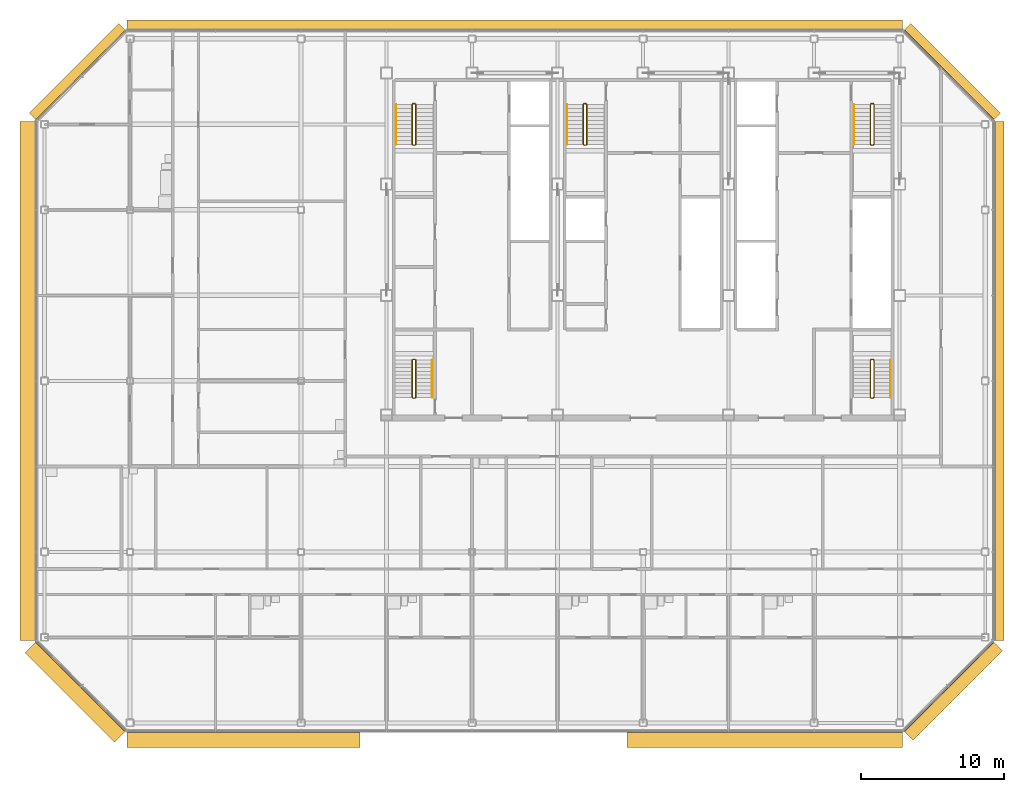
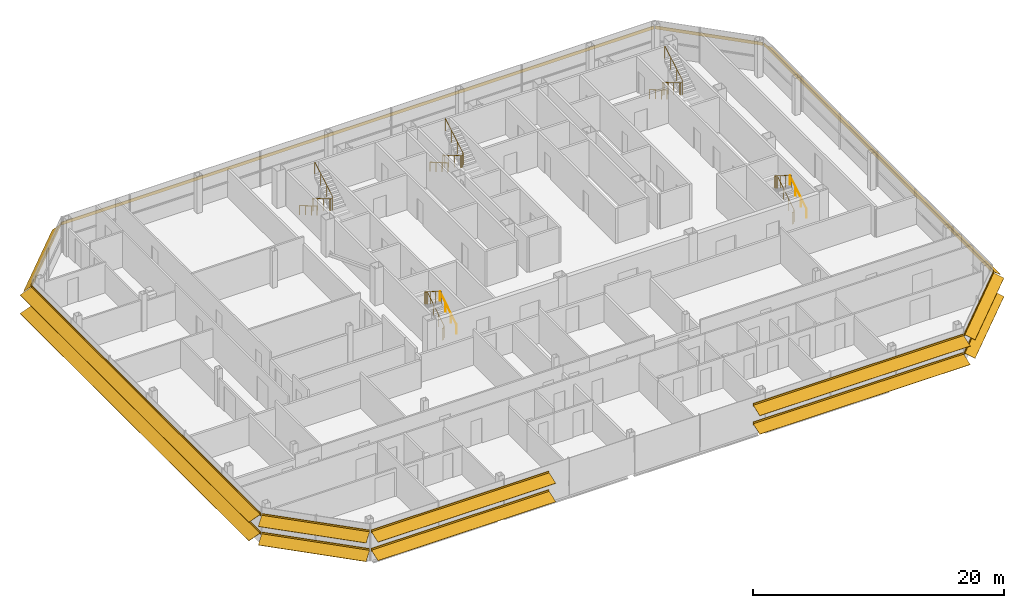
# One storey, part 27 of 28: 10 railings, 9 shading devices.
"""IFC4 building model written with IfcOpenShell, lengths in metres."""

from ifc_helpers import new_model, si_unit, direction, frame, origin, origin_2d, place, context, subcontext, project, spatial, polyline, circle, outline, composite_profile, extrude, material, type_object, element, save


model = new_model("IFC4")

# Units and contexts
model_context = context("Model", 3, precision=1e-05, world=origin(), true_north=direction((0.0, 1.0)))
body_context = subcontext(model_context, "Body", "Model", "MODEL_VIEW")
ifc_project = project(units=[si_unit("LENGTHUNIT", "METRE"), si_unit("AREAUNIT", "SQUARE_METRE"), si_unit("VOLUMEUNIT", "CUBIC_METRE"), si_unit("PLANEANGLEUNIT", "RADIAN"), si_unit("MASSUNIT", "GRAM", prefix="KILO")], contexts=[model_context])

# Site, building, storey
site_placement = place(None, origin())
site = spatial("IfcSite", under=ifc_project, at=site_placement, CompositionType="ELEMENT")
building_placement = place(site_placement, origin())
building = spatial("IfcBuilding", under=site, at=building_placement, Name="Sorahane Residences", CompositionType="ELEMENT")
storey_placement = place(building_placement, frame((0.0, 0.0, 301.60009765625)))
storey = spatial("IfcBuildingStorey", under=building, at=storey_placement, Name="L71", CompositionType="ELEMENT", Elevation=301.60009765625)

# Shading devices
ifc_material_1 = material(Name="Terracotta anodised aluminium", Category="masonry")
shading_device_type_1 = type_object("IfcShadingDeviceType", Name="Louvre sunshade blade E terracotta aluminium 700", PredefinedType="JALOUSIE", material=ifc_material_1)
shading_device_1_placement = place(storey_placement, frame((48.60009765625, 5.801513671875, 2.699951171875), z_axis=(0.0, 1.0, 0.0), x_axis=(-1.0, 0.0, 0.0)))
element("IfcShadingDevice", 1, at=shading_device_1_placement, inside=storey, type_object=shading_device_type_1, Name="Louvre sunshade blade bank E L71 E1", PredefinedType="JALOUSIE", context=body_context, shape_type="SweptSolid", body=[
    extrude(outline(polyline([(-0.719970703125, -0.49365234375), (-0.719970703125, -0.523681640625), (-0.080078125, -0.05859375), (-0.080078125, -0.14990234375), (-0.02001953125, -0.14990234375), (-0.02001953125, -0.014892578125), (-0.02001953125, 0.014892578125), (-0.02001953125, 0.14990234375), (-0.080078125, 0.14990234375), (-0.080078125, -0.028564453125), (-0.719970703125, -0.49365234375)])), origin(), (0.0, 0.0, 1.0), 36.39697265625),
])
ifc_material_2 = material(Name="Terracotta anodised aluminium", Category="masonry")
shading_device_type_2 = type_object("IfcShadingDeviceType", Name="Louvre sunshade blade N terracotta aluminium 700", PredefinedType="JALOUSIE", material=ifc_material_2)
shading_device_2_placement = place(storey_placement, frame((42.198486328125, 48.60009765625, 2.699951171875), z_axis=(-1.0, 0.0, 0.0), x_axis=(0.0, -1.0, 0.0)))
element("IfcShadingDevice", 2, at=shading_device_2_placement, inside=storey, type_object=shading_device_type_2, Name="Louvre sunshade blade bank N L71 N1", PredefinedType="JALOUSIE", context=body_context, shape_type="SweptSolid", body=[
    extrude(outline(polyline([(-0.719970703125, -0.660888671875), (-0.719970703125, -0.69091796875), (-0.080078125, -0.072998046875), (-0.080078125, -0.14990234375), (-0.02001953125, -0.14990234375), (-0.02001953125, -0.014892578125), (-0.02001953125, 0.014892578125), (-0.02001953125, 0.14990234375), (-0.080078125, 0.14990234375), (-0.080078125, -0.04296875), (-0.719970703125, -0.660888671875)])), origin(), (0.0, 0.0, 1.0), 54.39697265625),
])
ifc_material_3 = material(Name="Terracotta anodised aluminium", Category="masonry")
shading_device_type_3 = type_object("IfcShadingDeviceType", Name="Louvre sunshade blade NE terracotta aluminium 700", PredefinedType="JALOUSIE", material=ifc_material_3)
shading_device_3_placement = place(storey_placement, frame((48.564697265625, 42.283935546875, 2.699951171875), z_axis=(-0.707106781187, 0.707106781187, 0.0), x_axis=(-0.707106781187, -0.707106781187, 0.0)))
element("IfcShadingDevice", 3, at=shading_device_3_placement, inside=storey, type_object=shading_device_type_3, Name="Louvre sunshade blade bank NE L71 NE1", PredefinedType="JALOUSIE", context=body_context, shape_type="SweptSolid", body=[
    extrude(outline(polyline([(-0.719970703125, -0.572509765625), (-0.719970703125, -0.602294921875), (-0.080078125, -0.065185546875), (-0.080078125, -0.14990234375), (-0.02001953125, -0.14990234375), (-0.02001953125, -0.014892578125), (-0.02001953125, 0.014892578125), (-0.02001953125, 0.14990234375), (-0.080078125, 0.14990234375), (-0.080078125, -0.035400390625), (-0.719970703125, -0.572509765625)])), origin(), (0.0, 0.0, 1.0), 8.88232421875),
])
ifc_material_4 = material(Name="Terracotta anodised aluminium", Category="masonry")
shading_device_type_4 = type_object("IfcShadingDeviceType", Name="Louvre sunshade blade NW terracotta aluminium 700", PredefinedType="JALOUSIE", material=ifc_material_4)
shading_device_4_placement = place(storey_placement, frame((-12.283935546875, 48.564697265625, 2.699951171875), z_axis=(-0.707106781187, -0.707106781187, 0.0), x_axis=(0.707106781187, -0.707106781187, 0.0)))
element("IfcShadingDevice", 4, at=shading_device_4_placement, inside=storey, type_object=shading_device_type_4, Name="Louvre sunshade blade bank NW L71 NW1", PredefinedType="JALOUSIE", context=body_context, shape_type="SweptSolid", body=[
    extrude(outline(polyline([(-0.719970703125, -0.660888671875), (-0.719970703125, -0.69091796875), (-0.080078125, -0.072998046875), (-0.080078125, -0.14990234375), (-0.02001953125, -0.14990234375), (-0.02001953125, -0.014892578125), (-0.02001953125, 0.014892578125), (-0.02001953125, 0.14990234375), (-0.080078125, 0.14990234375), (-0.080078125, -0.04296875), (-0.719970703125, -0.660888671875)])), origin(), (0.0, 0.0, 1.0), 8.88232421875),
])
ifc_material_5 = material(Name="Terracotta anodised aluminium", Category="masonry")
shading_device_type_5 = type_object("IfcShadingDeviceType", Name="Louvre sunshade blade S terracotta aluminium 1100", PredefinedType="JALOUSIE", material=ifc_material_5)
shading_device_5_placement = place(storey_placement, frame((-12.198486328125, -0.60009765625, 0.89990234375), z_axis=(1.0, 0.0, 0.0), x_axis=(0.0, 1.0, 0.0)))
element("IfcShadingDevice", 5, at=shading_device_5_placement, inside=storey, type_object=shading_device_type_5, Name="Louvre sunshade blade bank S L71 S1", PredefinedType="JALOUSIE", context=body_context, shape_type="SweptSolid", body=[
    extrude(composite_profile([outline(polyline([(-1.1201171875, -0.385498046875), (-1.1201171875, -0.415283203125), (-0.080078125, -0.036865234375), (-0.080078125, -0.14990234375), (-0.02001953125, -0.14990234375), (-0.02001953125, -0.014892578125), (-0.02001953125, 0.014892578125), (-0.02001953125, 0.14990234375), (-0.080078125, 0.14990234375), (-0.080078125, -0.0068359375), (-1.1201171875, -0.385498046875)])), outline(polyline([(-1.1201171875, 1.41455078125), (-1.1201171875, 1.384521484375), (-0.080078125, 1.76318359375), (-0.080078125, 1.64990234375), (-0.02001953125, 1.64990234375), (-0.02001953125, 1.784912109375), (-0.02001953125, 1.81494140625), (-0.02001953125, 1.949951171875), (-0.080078125, 1.949951171875), (-0.080078125, 1.793212890625), (-1.1201171875, 1.41455078125)]))]), origin(), (0.0, 0.0, 1.0), 16.3291015625),
])
shading_device_6_placement = place(storey_placement, frame((22.869384765625, -0.60009765625, 0.89990234375), z_axis=(1.0, 0.0, 0.0), x_axis=(0.0, 1.0, 0.0)))
element("IfcShadingDevice", 6, at=shading_device_6_placement, inside=storey, type_object=shading_device_type_5, Name="Louvre sunshade blade bank S L71 S1 part 2", PredefinedType="JALOUSIE", context=body_context, shape_type="SweptSolid", body=[
    extrude(composite_profile([outline(polyline([(-1.1201171875, -0.385498046875), (-1.1201171875, -0.415283203125), (-0.080078125, -0.036865234375), (-0.080078125, -0.14990234375), (-0.02001953125, -0.14990234375), (-0.02001953125, -0.014892578125), (-0.02001953125, 0.014892578125), (-0.02001953125, 0.14990234375), (-0.080078125, 0.14990234375), (-0.080078125, -0.0068359375), (-1.1201171875, -0.385498046875)])), outline(polyline([(-1.1201171875, 1.41455078125), (-1.1201171875, 1.384521484375), (-0.080078125, 1.76318359375), (-0.080078125, 1.64990234375), (-0.02001953125, 1.64990234375), (-0.02001953125, 1.784912109375), (-0.02001953125, 1.81494140625), (-0.02001953125, 1.949951171875), (-0.080078125, 1.949951171875), (-0.080078125, 1.793212890625), (-1.1201171875, 1.41455078125)]))]), origin(), (0.0, 0.0, 1.0), 19.3291015625),
])
ifc_material_6 = material(Name="Terracotta anodised aluminium", Category="masonry")
shading_device_type_6 = type_object("IfcShadingDeviceType", Name="Louvre sunshade blade SE terracotta aluminium 900", PredefinedType="JALOUSIE", material=ifc_material_6)
shading_device_7_placement = place(storey_placement, frame((42.283935546875, -0.564697265625, 0.89990234375), z_axis=(0.707106781187, 0.707106781187, 0.0), x_axis=(-0.707106781187, 0.707106781187, 0.0)))
element("IfcShadingDevice", 7, at=shading_device_7_placement, inside=storey, type_object=shading_device_type_6, Name="Louvre sunshade blade bank SE L71 SE1", PredefinedType="JALOUSIE", context=body_context, shape_type="SweptSolid", body=[
    extrude(composite_profile([outline(polyline([(-0.919921875, -0.3486328125), (-0.919921875, -0.378662109375), (-0.080078125, -0.039306640625), (-0.080078125, -0.14990234375), (-0.02001953125, -0.14990234375), (-0.02001953125, -0.014892578125), (-0.02001953125, 0.014892578125), (-0.02001953125, 0.14990234375), (-0.080078125, 0.14990234375), (-0.080078125, -0.00927734375), (-0.919921875, -0.3486328125)])), outline(polyline([(-0.919921875, 1.451416015625), (-0.919921875, 1.42138671875), (-0.080078125, 1.7607421875), (-0.080078125, 1.64990234375), (-0.02001953125, 1.64990234375), (-0.02001953125, 1.784912109375), (-0.02001953125, 1.81494140625), (-0.02001953125, 1.949951171875), (-0.080078125, 1.949951171875), (-0.080078125, 1.790771484375), (-0.919921875, 1.451416015625)]))]), origin(), (0.0, 0.0, 1.0), 8.88232421875),
])
ifc_material_7 = material(Name="Terracotta anodised aluminium", Category="masonry")
shading_device_type_7 = type_object("IfcShadingDeviceType", Name="Louvre sunshade blade SW terracotta aluminium 1100", PredefinedType="JALOUSIE", material=ifc_material_7)
shading_device_8_placement = place(storey_placement, frame((-18.564697265625, 5.716064453125, 0.89990234375), z_axis=(0.707106781187, -0.707106781187, 0.0), x_axis=(0.707106781187, 0.707106781187, 0.0)))
element("IfcShadingDevice", 8, at=shading_device_8_placement, inside=storey, type_object=shading_device_type_7, Name="Louvre sunshade blade bank SW L71 SW1", PredefinedType="JALOUSIE", context=body_context, shape_type="SweptSolid", body=[
    extrude(composite_profile([outline(polyline([(-1.1201171875, -0.385498046875), (-1.1201171875, -0.415283203125), (-0.080078125, -0.036865234375), (-0.080078125, -0.14990234375), (-0.02001953125, -0.14990234375), (-0.02001953125, -0.014892578125), (-0.02001953125, 0.014892578125), (-0.02001953125, 0.14990234375), (-0.080078125, 0.14990234375), (-0.080078125, -0.0068359375), (-1.1201171875, -0.385498046875)])), outline(polyline([(-1.1201171875, 1.41455078125), (-1.1201171875, 1.384521484375), (-0.080078125, 1.76318359375), (-0.080078125, 1.64990234375), (-0.02001953125, 1.64990234375), (-0.02001953125, 1.784912109375), (-0.02001953125, 1.81494140625), (-0.02001953125, 1.949951171875), (-0.080078125, 1.949951171875), (-0.080078125, 1.793212890625), (-1.1201171875, 1.41455078125)]))]), origin(), (0.0, 0.0, 1.0), 8.88232421875),
])
ifc_material_8 = material(Name="Terracotta anodised aluminium", Category="masonry")
shading_device_type_8 = type_object("IfcShadingDeviceType", Name="Louvre sunshade blade W terracotta aluminium 1100", PredefinedType="JALOUSIE", material=ifc_material_8)
shading_device_9_placement = place(storey_placement, frame((-18.60009765625, 42.198486328125, 0.89990234375), z_axis=(0.0, -1.0, 0.0), x_axis=(1.0, 0.0, 0.0)))
element("IfcShadingDevice", 9, at=shading_device_9_placement, inside=storey, type_object=shading_device_type_8, Name="Louvre sunshade blade bank W L71 W1", PredefinedType="JALOUSIE", context=body_context, shape_type="SweptSolid", body=[
    extrude(composite_profile([outline(polyline([(-1.1201171875, -0.385498046875), (-1.1201171875, -0.415283203125), (-0.080078125, -0.036865234375), (-0.080078125, -0.14990234375), (-0.02001953125, -0.14990234375), (-0.02001953125, -0.014892578125), (-0.02001953125, 0.014892578125), (-0.02001953125, 0.14990234375), (-0.080078125, 0.14990234375), (-0.080078125, -0.0068359375), (-1.1201171875, -0.385498046875)])), outline(polyline([(-1.1201171875, 1.41455078125), (-1.1201171875, 1.384521484375), (-0.080078125, 1.76318359375), (-0.080078125, 1.64990234375), (-0.02001953125, 1.64990234375), (-0.02001953125, 1.784912109375), (-0.02001953125, 1.81494140625), (-0.02001953125, 1.949951171875), (-0.080078125, 1.949951171875), (-0.080078125, 1.793212890625), (-1.1201171875, 1.41455078125)]))]), origin(), (0.0, 0.0, 1.0), 36.39697265625),
])

# Railings
ifc_material_9 = material(Name="Steel Q355B", Category="steel")
railing_type_1 = type_object("IfcRailingType", Name="Stair guard 1200 Steel Q355B", PredefinedType="GUARDRAIL", material=ifc_material_9)
railing_1_placement = place(storey_placement, frame((8.0, 43.449951171875, 0.0)))
element("IfcRailing", 10, at=railing_1_placement, inside=storey, type_object=railing_type_1, Name="L71 S1 stair guard 1", PredefinedType="GUARDRAIL", context=body_context, shape_type="SweptSolid", body=[
    extrude(circle(Radius=0.02392578125, at=origin_2d()), frame((0.0, 0.0, 1.17578125), z_axis=(-1.0, 0.0, 0.0), x_axis=(0.0, -1.0, 0.0)), (0.0, 0.0, 1.0), 0.14990234375),
    extrude(circle(Radius=0.02392578125, at=origin_2d()), frame((-0.14990234375, 0.0, 1.17578125), z_axis=(-0.280808744504, -0.280808744504, 0.917765164963), x_axis=(0.707106781187, -0.707106781187, 0.0)), (0.0, 0.0, 1.0), 0.17822265625),
    extrude(circle(Radius=0.02392578125, at=origin_2d()), frame((-0.199951171875, -0.050048828125, 1.33935546875), z_axis=(0.0, -0.863374499697, 0.504563646405), x_axis=(1.0, 0.0, 0.0)), (0.0, 0.0, 1.0), 3.242919921875),
    extrude(circle(Radius=0.02392578125, at=origin_2d()), frame((-0.199951171875, -2.849853515625, 2.9755859375), z_axis=(0.707106781187, -0.707106781187, 0.0), x_axis=(0.707106781187, 0.707106781187, 0.0)), (0.0, 0.0, 1.0), 0.07080078125),
    extrude(circle(Radius=0.02392578125, at=origin_2d()), frame((-0.14990234375, -2.89990234375, 2.9755859375), z_axis=(1.0, 0.0, 0.0), x_axis=(0.0, 1.0, 0.0)), (0.0, 0.0, 1.0), 0.14990234375),
    extrude(circle(Radius=0.02392578125, at=origin_2d()), frame((0.0, -2.89990234375, 2.9755859375), z_axis=(0.280456126637, 0.280456126637, 0.917980785237), x_axis=(-0.707106781187, 0.707106781187, 0.0)), (0.0, 0.0, 1.0), 0.178466796875),
    extrude(circle(Radius=0.02392578125, at=origin_2d()), frame((0.050048828125, -2.849853515625, 3.1396484375), z_axis=(0.0, 0.863374499697, 0.504563646405), x_axis=(-1.0, 0.0, 0.0)), (0.0, 0.0, 1.0), 3.242919921875),
    extrude(circle(Radius=0.02099609375, at=origin_2d()), origin(), (0.0, 0.0, 1.0), 1.15185546875),
    extrude(circle(Radius=0.02099609375, at=origin_2d()), frame((-0.14990234375, 0.0, 0.0)), (0.0, 0.0, 1.0), 1.15185546875),
    extrude(circle(Radius=0.02099609375, at=origin_2d()), frame((-0.199951171875, -0.050048828125, 0.16357421875)), (0.0, 0.0, 1.0), 1.15185546875),
    extrude(circle(Radius=0.02099609375, at=origin_2d()), frame((-0.199951171875, -0.9833984375, 0.708984375)), (0.0, 0.0, 1.0), 1.15185546875),
    extrude(circle(Radius=0.02099609375, at=origin_2d()), frame((-0.199951171875, -1.91650390625, 1.25439453125)), (0.0, 0.0, 1.0), 1.15185546875),
    extrude(circle(Radius=0.02099609375, at=origin_2d()), frame((-0.199951171875, -2.849853515625, 1.7998046875)), (0.0, 0.0, 1.0), 1.15185546875),
    extrude(circle(Radius=0.02099609375, at=origin_2d()), frame((-0.14990234375, -2.89990234375, 1.7998046875)), (0.0, 0.0, 1.0), 1.15185546875),
    extrude(circle(Radius=0.02099609375, at=origin_2d()), frame((0.0, -2.89990234375, 1.7998046875)), (0.0, 0.0, 1.0), 1.15185546875),
    extrude(circle(Radius=0.02099609375, at=origin_2d()), frame((0.050048828125, -2.849853515625, 1.963623046875)), (0.0, 0.0, 1.0), 1.15185546875),
    extrude(circle(Radius=0.02099609375, at=origin_2d()), frame((0.050048828125, -1.91650390625, 2.509033203125)), (0.0, 0.0, 1.0), 1.15185546875),
    extrude(circle(Radius=0.02099609375, at=origin_2d()), frame((0.050048828125, -0.9833984375, 3.054443359375)), (0.0, 0.0, 1.0), 1.15185546875),
    extrude(circle(Radius=0.02099609375, at=origin_2d()), frame((0.050048828125, -0.050048828125, 3.599853515625)), (0.0, 0.0, 1.0), 1.15185546875),
])
railing_2_placement = place(storey_placement, frame((40.14990234375, 43.449951171875, 0.0)))
element("IfcRailing", 11, at=railing_2_placement, inside=storey, type_object=railing_type_1, Name="L71 S2 stair guard 1", PredefinedType="GUARDRAIL", context=body_context, shape_type="SweptSolid", body=[
    extrude(circle(Radius=0.02392578125, at=origin_2d()), frame((0.0, 0.0, 1.17578125), z_axis=(-1.0, 0.0, 0.0), x_axis=(0.0, -1.0, 0.0)), (0.0, 0.0, 1.0), 0.14990234375),
    extrude(circle(Radius=0.02392578125, at=origin_2d()), frame((-0.14990234375, 0.0, 1.17578125), z_axis=(-0.280808744504, -0.280808744504, 0.917765164963), x_axis=(0.707106781187, -0.707106781187, 0.0)), (0.0, 0.0, 1.0), 0.17822265625),
    extrude(circle(Radius=0.02392578125, at=origin_2d()), frame((-0.199951171875, -0.050048828125, 1.33935546875), z_axis=(0.0, -0.863374499697, 0.504563646405), x_axis=(1.0, 0.0, 0.0)), (0.0, 0.0, 1.0), 3.242919921875),
    extrude(circle(Radius=0.02392578125, at=origin_2d()), frame((-0.199951171875, -2.849853515625, 2.9755859375), z_axis=(0.707106781187, -0.707106781187, 0.0), x_axis=(0.707106781187, 0.707106781187, 0.0)), (0.0, 0.0, 1.0), 0.07080078125),
    extrude(circle(Radius=0.02392578125, at=origin_2d()), frame((-0.14990234375, -2.89990234375, 2.9755859375), z_axis=(1.0, 0.0, 0.0), x_axis=(0.0, 1.0, 0.0)), (0.0, 0.0, 1.0), 0.14990234375),
    extrude(circle(Radius=0.02392578125, at=origin_2d()), frame((0.0, -2.89990234375, 2.9755859375), z_axis=(0.280456126637, 0.280456126637, 0.917980785237), x_axis=(-0.707106781187, 0.707106781187, 0.0)), (0.0, 0.0, 1.0), 0.178466796875),
    extrude(circle(Radius=0.02392578125, at=origin_2d()), frame((0.050048828125, -2.849853515625, 3.1396484375), z_axis=(0.0, 0.863374499697, 0.504563646405), x_axis=(-1.0, 0.0, 0.0)), (0.0, 0.0, 1.0), 3.242919921875),
    extrude(circle(Radius=0.02099609375, at=origin_2d()), origin(), (0.0, 0.0, 1.0), 1.15185546875),
    extrude(circle(Radius=0.02099609375, at=origin_2d()), frame((-0.14990234375, 0.0, 0.0)), (0.0, 0.0, 1.0), 1.15185546875),
    extrude(circle(Radius=0.02099609375, at=origin_2d()), frame((-0.199951171875, -0.050048828125, 0.16357421875)), (0.0, 0.0, 1.0), 1.15185546875),
    extrude(circle(Radius=0.02099609375, at=origin_2d()), frame((-0.199951171875, -0.9833984375, 0.708984375)), (0.0, 0.0, 1.0), 1.15185546875),
    extrude(circle(Radius=0.02099609375, at=origin_2d()), frame((-0.199951171875, -1.91650390625, 1.25439453125)), (0.0, 0.0, 1.0), 1.15185546875),
    extrude(circle(Radius=0.02099609375, at=origin_2d()), frame((-0.199951171875, -2.849853515625, 1.7998046875)), (0.0, 0.0, 1.0), 1.15185546875),
    extrude(circle(Radius=0.02099609375, at=origin_2d()), frame((-0.14990234375, -2.89990234375, 1.7998046875)), (0.0, 0.0, 1.0), 1.15185546875),
    extrude(circle(Radius=0.02099609375, at=origin_2d()), frame((0.0, -2.89990234375, 1.7998046875)), (0.0, 0.0, 1.0), 1.15185546875),
    extrude(circle(Radius=0.02099609375, at=origin_2d()), frame((0.050048828125, -2.849853515625, 1.963623046875)), (0.0, 0.0, 1.0), 1.15185546875),
    extrude(circle(Radius=0.02099609375, at=origin_2d()), frame((0.050048828125, -1.91650390625, 2.509033203125)), (0.0, 0.0, 1.0), 1.15185546875),
    extrude(circle(Radius=0.02099609375, at=origin_2d()), frame((0.050048828125, -0.9833984375, 3.054443359375)), (0.0, 0.0, 1.0), 1.15185546875),
    extrude(circle(Radius=0.02099609375, at=origin_2d()), frame((0.050048828125, -0.050048828125, 3.599853515625)), (0.0, 0.0, 1.0), 1.15185546875),
])
railing_3_placement = place(storey_placement, frame((20.0, 43.449951171875, 0.0)))
element("IfcRailing", 12, at=railing_3_placement, inside=storey, type_object=railing_type_1, Name="L71 S3 stair guard 1", PredefinedType="GUARDRAIL", context=body_context, shape_type="SweptSolid", body=[
    extrude(circle(Radius=0.02392578125, at=origin_2d()), frame((0.0, 0.0, 1.17578125), z_axis=(-1.0, 0.0, 0.0), x_axis=(0.0, -1.0, 0.0)), (0.0, 0.0, 1.0), 0.14990234375),
    extrude(circle(Radius=0.02392578125, at=origin_2d()), frame((-0.14990234375, 0.0, 1.17578125), z_axis=(-0.280808744504, -0.280808744504, 0.917765164963), x_axis=(0.707106781187, -0.707106781187, 0.0)), (0.0, 0.0, 1.0), 0.17822265625),
    extrude(circle(Radius=0.02392578125, at=origin_2d()), frame((-0.199951171875, -0.050048828125, 1.33935546875), z_axis=(0.0, -0.863374499697, 0.504563646405), x_axis=(1.0, 0.0, 0.0)), (0.0, 0.0, 1.0), 3.242919921875),
    extrude(circle(Radius=0.02392578125, at=origin_2d()), frame((-0.199951171875, -2.849853515625, 2.9755859375), z_axis=(0.707106781187, -0.707106781187, 0.0), x_axis=(0.707106781187, 0.707106781187, 0.0)), (0.0, 0.0, 1.0), 0.07080078125),
    extrude(circle(Radius=0.02392578125, at=origin_2d()), frame((-0.14990234375, -2.89990234375, 2.9755859375), z_axis=(1.0, 0.0, 0.0), x_axis=(0.0, 1.0, 0.0)), (0.0, 0.0, 1.0), 0.14990234375),
    extrude(circle(Radius=0.02392578125, at=origin_2d()), frame((0.0, -2.89990234375, 2.9755859375), z_axis=(0.280456126637, 0.280456126637, 0.917980785237), x_axis=(-0.707106781187, 0.707106781187, 0.0)), (0.0, 0.0, 1.0), 0.178466796875),
    extrude(circle(Radius=0.02392578125, at=origin_2d()), frame((0.050048828125, -2.849853515625, 3.1396484375), z_axis=(0.0, 0.863374499697, 0.504563646405), x_axis=(-1.0, 0.0, 0.0)), (0.0, 0.0, 1.0), 3.242919921875),
    extrude(circle(Radius=0.02099609375, at=origin_2d()), origin(), (0.0, 0.0, 1.0), 1.15185546875),
    extrude(circle(Radius=0.02099609375, at=origin_2d()), frame((-0.14990234375, 0.0, 0.0)), (0.0, 0.0, 1.0), 1.15185546875),
    extrude(circle(Radius=0.02099609375, at=origin_2d()), frame((-0.199951171875, -0.050048828125, 0.16357421875)), (0.0, 0.0, 1.0), 1.15185546875),
    extrude(circle(Radius=0.02099609375, at=origin_2d()), frame((-0.199951171875, -0.9833984375, 0.708984375)), (0.0, 0.0, 1.0), 1.15185546875),
    extrude(circle(Radius=0.02099609375, at=origin_2d()), frame((-0.199951171875, -1.91650390625, 1.25439453125)), (0.0, 0.0, 1.0), 1.15185546875),
    extrude(circle(Radius=0.02099609375, at=origin_2d()), frame((-0.199951171875, -2.849853515625, 1.7998046875)), (0.0, 0.0, 1.0), 1.15185546875),
    extrude(circle(Radius=0.02099609375, at=origin_2d()), frame((-0.14990234375, -2.89990234375, 1.7998046875)), (0.0, 0.0, 1.0), 1.15185546875),
    extrude(circle(Radius=0.02099609375, at=origin_2d()), frame((0.0, -2.89990234375, 1.7998046875)), (0.0, 0.0, 1.0), 1.15185546875),
    extrude(circle(Radius=0.02099609375, at=origin_2d()), frame((0.050048828125, -2.849853515625, 1.963623046875)), (0.0, 0.0, 1.0), 1.15185546875),
    extrude(circle(Radius=0.02099609375, at=origin_2d()), frame((0.050048828125, -1.91650390625, 2.509033203125)), (0.0, 0.0, 1.0), 1.15185546875),
    extrude(circle(Radius=0.02099609375, at=origin_2d()), frame((0.050048828125, -0.9833984375, 3.054443359375)), (0.0, 0.0, 1.0), 1.15185546875),
    extrude(circle(Radius=0.02099609375, at=origin_2d()), frame((0.050048828125, -0.050048828125, 3.599853515625)), (0.0, 0.0, 1.0), 1.15185546875),
])
railing_4_placement = place(storey_placement, frame((7.85009765625, 22.800048828125, 0.0)))
element("IfcRailing", 13, at=railing_4_placement, inside=storey, type_object=railing_type_1, Name="L71 S4 stair guard 1", PredefinedType="GUARDRAIL", context=body_context, shape_type="SweptSolid", body=[
    extrude(circle(Radius=0.02392578125, at=origin_2d()), frame((0.0, 0.0, 1.17578125), z_axis=(1.0, 0.0, 0.0), x_axis=(0.0, 1.0, 0.0)), (0.0, 0.0, 1.0), 0.14990234375),
    extrude(circle(Radius=0.02392578125, at=origin_2d()), frame((0.14990234375, 0.0, 1.17578125), z_axis=(0.280808744504, 0.280808744504, 0.917765164963), x_axis=(-0.707106781187, 0.707106781187, 0.0)), (0.0, 0.0, 1.0), 0.17822265625),
    extrude(circle(Radius=0.02392578125, at=origin_2d()), frame((0.199951171875, 0.050048828125, 1.33935546875), z_axis=(0.0, 0.846337672412, 0.532646734952), x_axis=(-1.0, 0.0, 0.0)), (0.0, 0.0, 1.0), 3.07177734375),
    extrude(circle(Radius=0.02392578125, at=origin_2d()), frame((0.199951171875, 2.64990234375, 2.9755859375), z_axis=(-0.707106781187, 0.707106781187, 0.0), x_axis=(-0.707106781187, -0.707106781187, 0.0)), (0.0, 0.0, 1.0), 0.07080078125),
    extrude(circle(Radius=0.02392578125, at=origin_2d()), frame((0.14990234375, 2.699951171875, 2.9755859375), z_axis=(-1.0, 0.0, 0.0), x_axis=(0.0, -1.0, 0.0)), (0.0, 0.0, 1.0), 0.14990234375),
    extrude(circle(Radius=0.02392578125, at=origin_2d()), frame((0.0, 2.699951171875, 2.9755859375), z_axis=(-0.280456126637, -0.280456126637, 0.917980785237), x_axis=(0.707106781187, -0.707106781187, 0.0)), (0.0, 0.0, 1.0), 0.178466796875),
    extrude(circle(Radius=0.02392578125, at=origin_2d()), frame((-0.050048828125, 2.64990234375, 3.1396484375), z_axis=(0.0, -0.846337672412, 0.532646734952), x_axis=(1.0, 0.0, 0.0)), (0.0, 0.0, 1.0), 3.07177734375),
    extrude(circle(Radius=0.02099609375, at=origin_2d()), origin(), (0.0, 0.0, 1.0), 1.15185546875),
    extrude(circle(Radius=0.02099609375, at=origin_2d()), frame((0.14990234375, 0.0, 0.0)), (0.0, 0.0, 1.0), 1.15185546875),
    extrude(circle(Radius=0.02099609375, at=origin_2d()), frame((0.199951171875, 0.050048828125, 0.16357421875)), (0.0, 0.0, 1.0), 1.15185546875),
    extrude(circle(Radius=0.02099609375, at=origin_2d()), frame((0.199951171875, 0.916748046875, 0.708984375)), (0.0, 0.0, 1.0), 1.15185546875),
    extrude(circle(Radius=0.02099609375, at=origin_2d()), frame((0.199951171875, 1.783203125, 1.25439453125)), (0.0, 0.0, 1.0), 1.15185546875),
    extrude(circle(Radius=0.02099609375, at=origin_2d()), frame((0.199951171875, 2.64990234375, 1.7998046875)), (0.0, 0.0, 1.0), 1.15185546875),
    extrude(circle(Radius=0.02099609375, at=origin_2d()), frame((0.14990234375, 2.699951171875, 1.7998046875)), (0.0, 0.0, 1.0), 1.15185546875),
    extrude(circle(Radius=0.02099609375, at=origin_2d()), frame((0.0, 2.699951171875, 1.7998046875)), (0.0, 0.0, 1.0), 1.15185546875),
    extrude(circle(Radius=0.02099609375, at=origin_2d()), frame((-0.050048828125, 2.64990234375, 1.963623046875)), (0.0, 0.0, 1.0), 1.15185546875),
    extrude(circle(Radius=0.02099609375, at=origin_2d()), frame((-0.050048828125, 1.783203125, 2.509033203125)), (0.0, 0.0, 1.0), 1.15185546875),
    extrude(circle(Radius=0.02099609375, at=origin_2d()), frame((-0.050048828125, 0.916748046875, 3.054443359375)), (0.0, 0.0, 1.0), 1.15185546875),
    extrude(circle(Radius=0.02099609375, at=origin_2d()), frame((-0.050048828125, 0.050048828125, 3.599853515625)), (0.0, 0.0, 1.0), 1.15185546875),
])
railing_5_placement = place(storey_placement, frame((40.0, 22.800048828125, 0.0)))
element("IfcRailing", 14, at=railing_5_placement, inside=storey, type_object=railing_type_1, Name="L71 S5 stair guard 1", PredefinedType="GUARDRAIL", context=body_context, shape_type="SweptSolid", body=[
    extrude(circle(Radius=0.02392578125, at=origin_2d()), frame((0.0, 0.0, 1.17578125), z_axis=(1.0, 0.0, 0.0), x_axis=(0.0, 1.0, 0.0)), (0.0, 0.0, 1.0), 0.14990234375),
    extrude(circle(Radius=0.02392578125, at=origin_2d()), frame((0.14990234375, 0.0, 1.17578125), z_axis=(0.280808744504, 0.280808744504, 0.917765164963), x_axis=(-0.707106781187, 0.707106781187, 0.0)), (0.0, 0.0, 1.0), 0.17822265625),
    extrude(circle(Radius=0.02392578125, at=origin_2d()), frame((0.199951171875, 0.050048828125, 1.33935546875), z_axis=(0.0, 0.846337672412, 0.532646734952), x_axis=(-1.0, 0.0, 0.0)), (0.0, 0.0, 1.0), 3.07177734375),
    extrude(circle(Radius=0.02392578125, at=origin_2d()), frame((0.199951171875, 2.64990234375, 2.9755859375), z_axis=(-0.707106781187, 0.707106781187, 0.0), x_axis=(-0.707106781187, -0.707106781187, 0.0)), (0.0, 0.0, 1.0), 0.07080078125),
    extrude(circle(Radius=0.02392578125, at=origin_2d()), frame((0.14990234375, 2.699951171875, 2.9755859375), z_axis=(-1.0, 0.0, 0.0), x_axis=(0.0, -1.0, 0.0)), (0.0, 0.0, 1.0), 0.14990234375),
    extrude(circle(Radius=0.02392578125, at=origin_2d()), frame((0.0, 2.699951171875, 2.9755859375), z_axis=(-0.280456126637, -0.280456126637, 0.917980785237), x_axis=(0.707106781187, -0.707106781187, 0.0)), (0.0, 0.0, 1.0), 0.178466796875),
    extrude(circle(Radius=0.02392578125, at=origin_2d()), frame((-0.050048828125, 2.64990234375, 3.1396484375), z_axis=(0.0, -0.846337672412, 0.532646734952), x_axis=(1.0, 0.0, 0.0)), (0.0, 0.0, 1.0), 3.07177734375),
    extrude(circle(Radius=0.02099609375, at=origin_2d()), origin(), (0.0, 0.0, 1.0), 1.15185546875),
    extrude(circle(Radius=0.02099609375, at=origin_2d()), frame((0.14990234375, 0.0, 0.0)), (0.0, 0.0, 1.0), 1.15185546875),
    extrude(circle(Radius=0.02099609375, at=origin_2d()), frame((0.199951171875, 0.050048828125, 0.16357421875)), (0.0, 0.0, 1.0), 1.15185546875),
    extrude(circle(Radius=0.02099609375, at=origin_2d()), frame((0.199951171875, 0.916748046875, 0.708984375)), (0.0, 0.0, 1.0), 1.15185546875),
    extrude(circle(Radius=0.02099609375, at=origin_2d()), frame((0.199951171875, 1.783203125, 1.25439453125)), (0.0, 0.0, 1.0), 1.15185546875),
    extrude(circle(Radius=0.02099609375, at=origin_2d()), frame((0.199951171875, 2.64990234375, 1.7998046875)), (0.0, 0.0, 1.0), 1.15185546875),
    extrude(circle(Radius=0.02099609375, at=origin_2d()), frame((0.14990234375, 2.699951171875, 1.7998046875)), (0.0, 0.0, 1.0), 1.15185546875),
    extrude(circle(Radius=0.02099609375, at=origin_2d()), frame((0.0, 2.699951171875, 1.7998046875)), (0.0, 0.0, 1.0), 1.15185546875),
    extrude(circle(Radius=0.02099609375, at=origin_2d()), frame((-0.050048828125, 2.64990234375, 1.963623046875)), (0.0, 0.0, 1.0), 1.15185546875),
    extrude(circle(Radius=0.02099609375, at=origin_2d()), frame((-0.050048828125, 1.783203125, 2.509033203125)), (0.0, 0.0, 1.0), 1.15185546875),
    extrude(circle(Radius=0.02099609375, at=origin_2d()), frame((-0.050048828125, 0.916748046875, 3.054443359375)), (0.0, 0.0, 1.0), 1.15185546875),
    extrude(circle(Radius=0.02099609375, at=origin_2d()), frame((-0.050048828125, 0.050048828125, 3.599853515625)), (0.0, 0.0, 1.0), 1.15185546875),
])
ifc_material_10 = material(Name="Steel Q355B", Category="steel")
railing_type_2 = type_object("IfcRailingType", Name="Stair handrail 900 Steel Q355B", PredefinedType="HANDRAIL", material=ifc_material_10)
for number, where, name in (
    (15, (6.64990234375, 43.39990234375, 0.16357421875), "L71 S1 stair handrail 1"),
    (16, (38.800048828125, 43.39990234375, 0.16357421875), "L71 S2 stair handrail 1"),
    (17, (18.64990234375, 43.39990234375, 0.16357421875), "L71 S3 stair handrail 1"),
):
    element("IfcRailing", number, at=place(storey_placement, frame(where)), inside=storey, type_object=railing_type_2, Name=name, PredefinedType="HANDRAIL", context=body_context, shape_type="SweptSolid", body=[
        extrude(circle(Radius=0.02392578125, at=origin_2d()), frame((0.0, 0.0, 0.8759765625), z_axis=(0.0, -0.863374499697, 0.504563646405), x_axis=(1.0, 0.0, 0.0)), (0.0, 0.0, 1.0), 3.242919921875),
        extrude(circle(Radius=0.02099609375, at=origin_2d()), origin(), (0.0, 0.0, 1.0), 0.851806640625),
        extrude(circle(Radius=0.02099609375, at=origin_2d()), frame((0.0, -0.933349609375, 0.54541015625)), (0.0, 0.0, 1.0), 0.851806640625),
        extrude(circle(Radius=0.02099609375, at=origin_2d()), frame((0.0, -1.866455078125, 1.0908203125)), (0.0, 0.0, 1.0), 0.851806640625),
        extrude(circle(Radius=0.02099609375, at=origin_2d()), frame((0.0, -2.7998046875, 1.63623046875)), (0.0, 0.0, 1.0), 0.851806640625),
    ])
for number, where, name in (
    (18, (9.199951171875, 22.85009765625, 0.16357421875), "L71 S4 stair handrail 1"),
    (19, (41.35009765625, 22.85009765625, 0.16357421875), "L71 S5 stair handrail 1"),
):
    element("IfcRailing", number, at=place(storey_placement, frame(where)), inside=storey, type_object=railing_type_2, Name=name, PredefinedType="HANDRAIL", context=body_context, shape_type="SweptSolid", body=[
        extrude(circle(Radius=0.02392578125, at=origin_2d()), frame((0.0, 0.0, 0.8759765625), z_axis=(0.0, 0.846337672412, 0.532646734952), x_axis=(-1.0, 0.0, 0.0)), (0.0, 0.0, 1.0), 3.07177734375),
        extrude(circle(Radius=0.02099609375, at=origin_2d()), origin(), (0.0, 0.0, 1.0), 0.851806640625),
        extrude(circle(Radius=0.02099609375, at=origin_2d()), frame((0.0, 0.86669921875, 0.54541015625)), (0.0, 0.0, 1.0), 0.851806640625),
        extrude(circle(Radius=0.02099609375, at=origin_2d()), frame((0.0, 1.733154296875, 1.0908203125)), (0.0, 0.0, 1.0), 0.851806640625),
        extrude(circle(Radius=0.02099609375, at=origin_2d()), frame((0.0, 2.599853515625, 1.63623046875)), (0.0, 0.0, 1.0), 0.851806640625),
    ])

save(model, "model.ifc")
